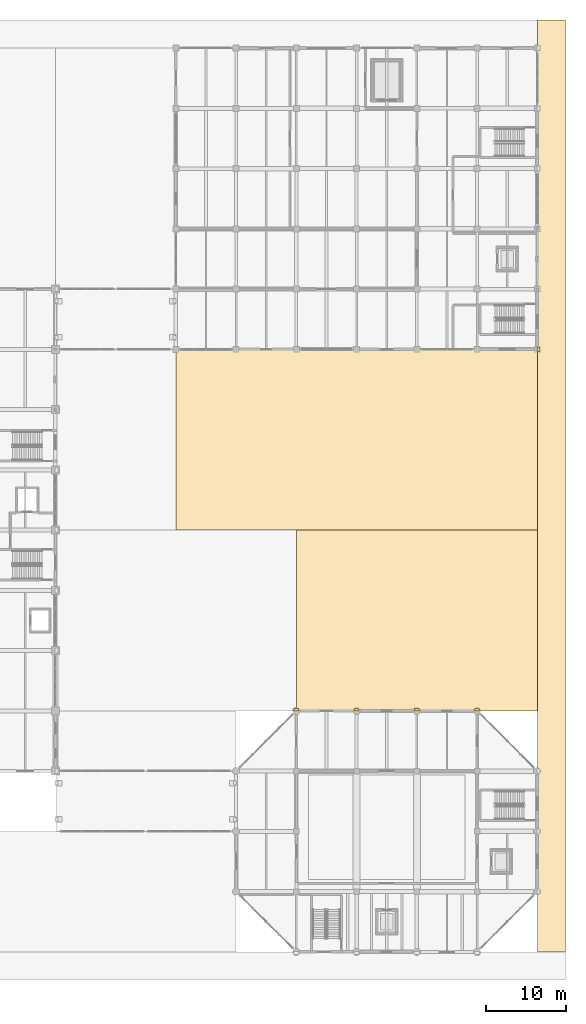
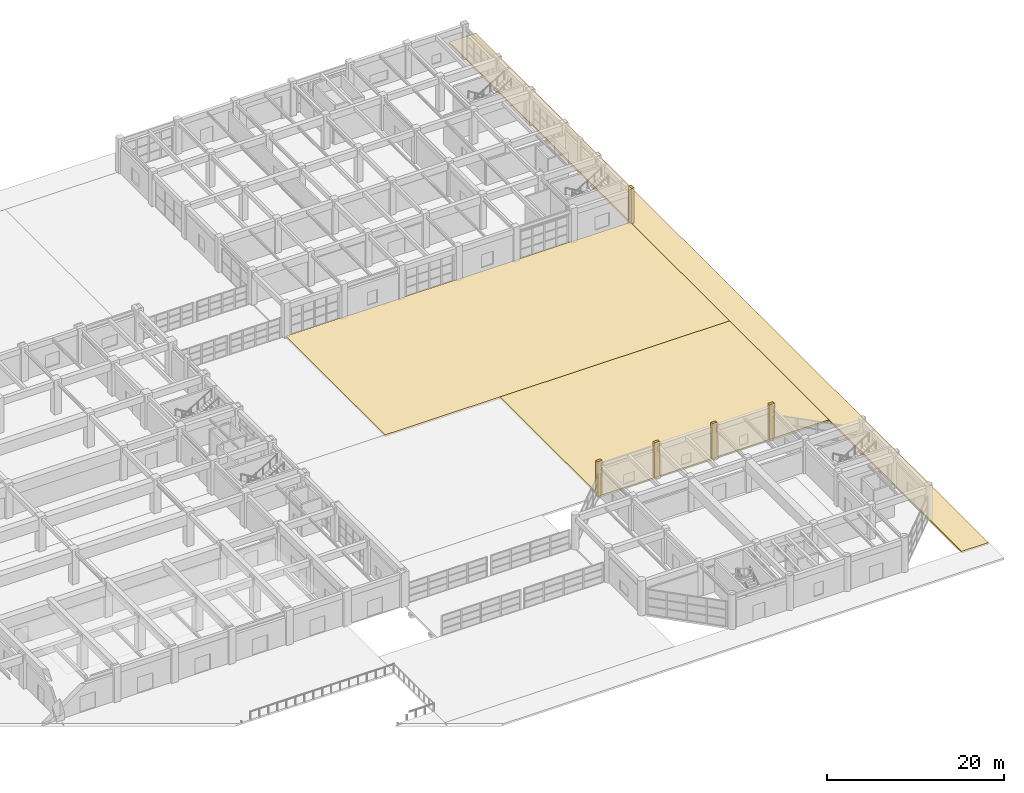
# One storey, part 120 of 122: 8 coverings.
"""IFC4 building model written with IfcOpenShell, lengths in metres."""

import ifcopenshell
import ifcopenshell.guid

model = None  # the IFC model being written
_history = None  # IfcOwnerHistory: only IFC2X3 demands one
_inside = {}  # id of a spatial element -> (the spatial element, [elements in it])
_under = {}  # id of a project, library or spatial element -> (it, [spatial elements below it])
_declared = {}  # id of a project -> (the project, [libraries it declares])
_typed = {}  # id of a type object -> (the type object, [elements of that type])
_made_of = {}  # id of a material, layer set ... -> (it, [elements and type objects made of it])


def new_model(schema):
    """Start an empty IFC model of exactly this schema.

    Asked for "IFC4X3", IfcOpenShell would pick the latest addendum, in which some entities
    have other attributes; the version numbers below select the first issue.
    IFC2X3 requires an IfcOwnerHistory on every rooted entity: one is made here for all.
    """
    global model, _history
    if schema == "IFC4X3":
        model = ifcopenshell.file(schema_version=(4, 3, 0, 0))
    else:
        model = ifcopenshell.file(schema=schema)
    _inside.clear()
    _under.clear()
    _declared.clear()
    _typed.clear()
    _made_of.clear()
    _history = None
    if model.schema == "IFC2X3":
        org = make("IfcOrganization", Name="unknown")
        user = make(
            "IfcPersonAndOrganization",
            ThePerson=make("IfcPerson", FamilyName="unknown"),
            TheOrganization=org,
        )
        app = make(
            "IfcApplication",
            ApplicationDeveloper=org,
            Version="unknown",
            ApplicationFullName="unknown",
            ApplicationIdentifier="unknown",
        )
        _history = make(
            "IfcOwnerHistory",
            OwningUser=user,
            OwningApplication=app,
            ChangeAction="ADDED",
            CreationDate=0,
        )
    return model


def make(cls, **values):
    """One entity of the class cls with the attributes given. An attribute that is None is left unset."""
    return model.create_entity(
        cls, **{name: value for name, value in values.items() if value is not None}
    )


def rooted(cls, **values):
    """An entity with a GlobalId (a new one), such as an element, a storey or a relation."""
    return make(cls, GlobalId=ifcopenshell.guid.new(), OwnerHistory=_history, **values)


def si_unit(unit_type, name, prefix=None):
    """IfcSIUnit, for example si_unit("LENGTHUNIT", "METRE", prefix="MILLI")."""
    return make("IfcSIUnit", UnitType=unit_type, Prefix=prefix, Name=name)


def assignment(units):
    """IfcUnitAssignment: the units of a project."""
    return None if units is None else make("IfcUnitAssignment", Units=units)


def point(xyz):
    """IfcCartesianPoint."""
    return None if xyz is None else make("IfcCartesianPoint", Coordinates=xyz)


def direction(xyz):
    """IfcDirection."""
    return None if xyz is None else make("IfcDirection", DirectionRatios=xyz)


def frame(location, z_axis=None, x_axis=None):
    """IfcAxis2Placement3D, a coordinate frame: its origin and axes. An axis left out is left unset."""
    return make(
        "IfcAxis2Placement3D",
        Location=point(location),
        Axis=direction(z_axis),
        RefDirection=direction(x_axis),
    )


def frame_2d(location, x_axis=None):
    """IfcAxis2Placement2D, a coordinate frame in the plane: its origin and x axis."""
    return make(
        "IfcAxis2Placement2D", Location=point(location), RefDirection=direction(x_axis)
    )


def origin():
    """The frame at (0, 0, 0) with its axes left unset."""
    return frame((0.0, 0.0, 0.0))


def origin_2d():
    """The frame at (0, 0) in the plane with its x axis left unset."""
    return frame_2d((0.0, 0.0))


def place(relative_to, where):
    """IfcLocalPlacement: puts the frame where relative to a parent placement (None: the world)."""
    return make(
        "IfcLocalPlacement", PlacementRelTo=relative_to, RelativePlacement=where
    )


def context(
    kind, dimensions, precision=None, world=None, true_north=None, identifier=None
):
    """IfcGeometricRepresentationContext, for example the 3D "Model" context."""
    return make(
        "IfcGeometricRepresentationContext",
        ContextIdentifier=identifier,
        ContextType=kind,
        CoordinateSpaceDimension=dimensions,
        Precision=precision,
        WorldCoordinateSystem=world,
        TrueNorth=true_north,
    )


def subcontext(parent, identifier, kind, view, scale=None):
    """IfcGeometricRepresentationSubContext, for example "Body" below "Model"."""
    return make(
        "IfcGeometricRepresentationSubContext",
        ContextIdentifier=identifier,
        ContextType=kind,
        ParentContext=parent,
        TargetScale=scale,
        TargetView=view,
    )


def project(units=None, contexts=None):
    """IfcProject with its units and contexts."""
    return rooted(
        "IfcProject",
        Name="project",
        RepresentationContexts=contexts,
        UnitsInContext=assignment(units),
    )


def spatial(cls, under=None, at=None, **own):
    """A site, building, storey or space (cls), placed at a placement, below another one or the project."""
    s = rooted(cls, ObjectPlacement=at, **own)
    if under is not None:
        _under.setdefault(under.id(), (under, []))[1].append(s)
    return s


def polyline(points):
    """IfcPolyline through the points."""
    return make("IfcPolyline", Points=[point(p) for p in points])


def profile(cls, at=None, kind="AREA", **sizes):
    """A parametric profile (cls). Its sizes go by their IFC names, for example OverallWidth=200.0."""
    return make(cls, ProfileType=kind, Position=at, **sizes)


def rectangle(**sizes):
    """IfcRectangleProfileDef."""
    return profile("IfcRectangleProfileDef", **sizes)


def outline(outer, holes=None, kind="AREA"):
    """IfcArbitraryClosedProfileDef: a profile drawn as a closed curve; with holes, ...WithVoids."""
    if holes is None:
        return make("IfcArbitraryClosedProfileDef", ProfileType=kind, OuterCurve=outer)
    return make(
        "IfcArbitraryProfileDefWithVoids",
        ProfileType=kind,
        OuterCurve=outer,
        InnerCurves=holes,
    )


def extrude(swept, where, along, depth):
    """IfcExtrudedAreaSolid: the profile swept, set in the frame where, extruded along a direction by depth."""
    return make(
        "IfcExtrudedAreaSolid",
        SweptArea=swept,
        Position=where,
        ExtrudedDirection=direction(along),
        Depth=depth,
    )


def shape(context_of_items, identifier, shape_type, items):
    """IfcShapeRepresentation: the items that make up one representation, for example the "Body"."""
    return make(
        "IfcShapeRepresentation",
        ContextOfItems=context_of_items,
        RepresentationIdentifier=identifier,
        RepresentationType=shape_type,
        Items=items,
    )


def material(Name=None, Category=None):
    """IfcMaterial."""
    return make("IfcMaterial", Name=Name, Category=Category)


def layer(
    of_material, thickness, ventilated=None, Name=None, Category=None, Priority=None
):
    """IfcMaterialLayer: one layer of a wall or slab, of a material (None: an air gap)."""
    return make(
        "IfcMaterialLayer",
        Material=of_material,
        LayerThickness=thickness,
        IsVentilated=ventilated,
        Name=Name,
        Category=Category,
        Priority=Priority,
    )


def layer_set(layers, Name=None):
    """IfcMaterialLayerSet."""
    return make("IfcMaterialLayerSet", MaterialLayers=layers, LayerSetName=Name)


def made_of(thing, what):
    """Note that an element or type object is made of a material, layer set ...; save() writes the relation."""
    if what is not None:
        _made_of.setdefault(what.id(), (what, []))[1].append(thing)
    return thing


def type_object(cls, material=None, **own):
    """A type object (cls), such as IfcWallType, which elements share."""
    return made_of(rooted(cls, **own), material)


def element(
    cls,
    number,
    at=None,
    inside=None,
    cuts=None,
    type_object=None,
    material=None,
    context=None,
    identifier="Body",
    shape_type=None,
    held_by="IfcProductDefinitionShape",
    body=None,
    shapes=None,
    **own,
):
    """One element of the class cls, such as IfcWall. Its Tag is "e" and its number.

    at: its placement. inside: the storey or other place that contains it. cuts: it is an
    opening in that element (IfcRelVoidsElement). A single representation is given by context,
    identifier, shape_type and body (its items); several are given by shapes. held_by: the class
    of the entity that holds the representations. save() writes the other relations.
    """
    e = rooted(cls, Tag="e%d" % number, ObjectPlacement=at, **own)
    if body is not None:
        shapes = [shape(context, identifier, shape_type, body)]
    if shapes is not None:
        e.Representation = make(held_by, Representations=shapes)
    if inside is not None:
        _inside.setdefault(inside.id(), (inside, []))[1].append(e)
    if cuts is not None:
        rooted(
            "IfcRelVoidsElement", RelatingBuildingElement=cuts, RelatedOpeningElement=e
        )
    if type_object is not None:
        _typed.setdefault(type_object.id(), (type_object, []))[1].append(e)
    return made_of(e, material)


def aggregate(whole, parts):
    """IfcRelAggregates: a whole, such as a stair, and the parts it consists of."""
    return rooted("IfcRelAggregates", RelatingObject=whole, RelatedObjects=parts)


def save(model, path):
    """Write the relations noted so far, then the file.

    IfcRelAggregates (storeys below a building ...), IfcRelContainedInSpatialStructure (elements
    in a storey), IfcRelDefinesByType, IfcRelAssociatesMaterial and IfcRelDeclares: one each for
    every whole, place, type object, material and project.
    """
    for whole, parts in _under.values():
        aggregate(whole, parts)
    for where, things in _inside.values():
        rooted(
            "IfcRelContainedInSpatialStructure",
            RelatedElements=things,
            RelatingStructure=where,
        )
    for kind, things in _typed.values():
        rooted("IfcRelDefinesByType", RelatedObjects=things, RelatingType=kind)
    for what, things in _made_of.values():
        rooted("IfcRelAssociatesMaterial", RelatedObjects=things, RelatingMaterial=what)
    for by, libraries in _declared.values():
        rooted("IfcRelDeclares", RelatingContext=by, RelatedDefinitions=libraries)
    model.write(path)


model = new_model("IFC4")

# Units and contexts
model_context = context("Model", 3, precision=1e-05, world=origin(), true_north=direction((0.0, 1.0)))
body_context = subcontext(model_context, "Body", "Model", "MODEL_VIEW")
ifc_project = project(units=[si_unit("LENGTHUNIT", "METRE"), si_unit("AREAUNIT", "SQUARE_METRE"), si_unit("VOLUMEUNIT", "CUBIC_METRE"), si_unit("PLANEANGLEUNIT", "RADIAN"), si_unit("MASSUNIT", "GRAM", prefix="KILO")], contexts=[model_context])

# Site, building, storey
site_placement = place(None, origin())
site = spatial("IfcSite", under=ifc_project, at=site_placement, CompositionType="ELEMENT")
building_placement = place(site_placement, origin())
building = spatial("IfcBuilding", under=site, at=building_placement, Name="Qasida Concert Hall", CompositionType="ELEMENT")
storey_placement = place(building_placement, origin())
storey = spatial("IfcBuildingStorey", under=building, at=storey_placement, Name="L00", CompositionType="ELEMENT", Elevation=0.0)

# Coverings
ifc_material_1 = material(Name="Bush-hammered Lebanese limestone plaza paving", Category="masonry")
ifc_layer_1 = layer(ifc_material_1, 0.25, Name="Bush-hammered Lebanese limestone plaza paving")
ifc_layer_set_1 = layer_set([ifc_layer_1], Name="Bush-hammered Lebanese limestone plaza paving")
covering_type_1 = type_object("IfcCoveringType", Name="CV-PAV-250", PredefinedType="FLOORING", material=ifc_layer_set_1)
covering_1_placement = place(storey_placement, frame((0.0, 0.0, -0.25)))
element("IfcCovering", 1, at=covering_1_placement, inside=storey, type_object=covering_type_1, Name="L00 East boulevard promenade", PredefinedType="FLOORING", context=body_context, shape_type="SweptSolid", body=[
    extrude(outline(polyline([(165.0, 0.0), (168.5, 0.0), (168.5, 116.0), (165.0, 116.0), (165.0, 0.0)])), origin(), (0.0, 0.0, 1.0), 0.25),
])
covering_2_placement = place(storey_placement, frame((0.0, 0.0, -0.25)))
element("IfcCovering", 2, at=covering_2_placement, inside=storey, type_object=covering_type_1, Name="L00 East rehearsal court south", PredefinedType="FLOORING", context=body_context, shape_type="SweptSolid", body=[
    extrude(outline(polyline([(135.0, 30.0), (165.0, 30.0), (165.0, 52.5), (135.0, 52.5), (135.0, 30.0)])), origin(), (0.0, 0.0, 1.0), 0.25),
])
covering_3_placement = place(storey_placement, frame((0.0, 0.0, -0.25)))
element("IfcCovering", 3, at=covering_3_placement, inside=storey, type_object=covering_type_1, Name="L00 East rehearsal court north", PredefinedType="FLOORING", context=body_context, shape_type="SweptSolid", body=[
    extrude(outline(polyline([(120.0, 52.5), (165.0, 52.5), (165.0, 75.0), (120.0, 75.0), (120.0, 52.5)])), origin(), (0.0, 0.0, 1.0), 0.25),
])
ifc_material_2 = material(Name="Projecting fluted Lebanese limestone Art Deco pilaster", Category="masonry")
ifc_layer_2 = layer(ifc_material_2, 0.35009765625, Name="Projecting fluted Lebanese limestone Art Deco pilaster")
ifc_layer_set_2 = layer_set([ifc_layer_2], Name="Projecting fluted Lebanese limestone Art Deco pilaster")
covering_type_2 = type_object("IfcCoveringType", Name="CV-PIL-650", PredefinedType="CLADDING", material=ifc_layer_set_2)
for number, where, z_axis, x_axis, name in (
    (4, (135.0, 30.135009765625, 0.0), (0.0, 0.0, 1.0), (1.0, 0.0, 0.0), "L00 fluted limestone pilaster 0195"),
    (5, (142.5, 30.135009765625, 0.0), (0.0, 0.0, 1.0), (1.0, 0.0, 0.0), "L00 fluted limestone pilaster 0203"),
    (6, (150.0, 30.135009765625, 0.0), (0.0, 0.0, 1.0), (1.0, 0.0, 0.0), "L00 fluted limestone pilaster 0211"),
    (7, (157.5, 30.135009765625, 0.0), (0.0, 0.0, 1.0), (1.0, 0.0, 0.0), "L00 fluted limestone pilaster 0219"),
):
    element("IfcCovering", number, at=place(storey_placement, frame(where, z_axis=z_axis, x_axis=x_axis)), inside=storey, type_object=covering_type_2, Name=name, PredefinedType="CLADDING", context=body_context, shape_type="SweptSolid", body=[
        extrude(rectangle(XDim=0.64990234375, YDim=0.35009765625, at=origin_2d()), origin(), (0.0, 0.0, 1.0), 4.800048828125),
    ])
covering_4_placement = place(storey_placement, frame((165.135009765625, 75.0, 0.0), z_axis=(0.0, 0.0, 1.0), x_axis=(1.0, 0.0, 0.0)))
element("IfcCovering", 8, at=covering_4_placement, inside=storey, type_object=covering_type_2, Name="L00 fluted limestone pilaster 0235", PredefinedType="CLADDING", context=body_context, shape_type="SweptSolid", body=[
    extrude(rectangle(XDim=0.35009765625, YDim=0.64990234375, at=origin_2d()), origin(), (0.0, 0.0, 1.0), 4.800048828125),
])

save(model, "model.ifc")
